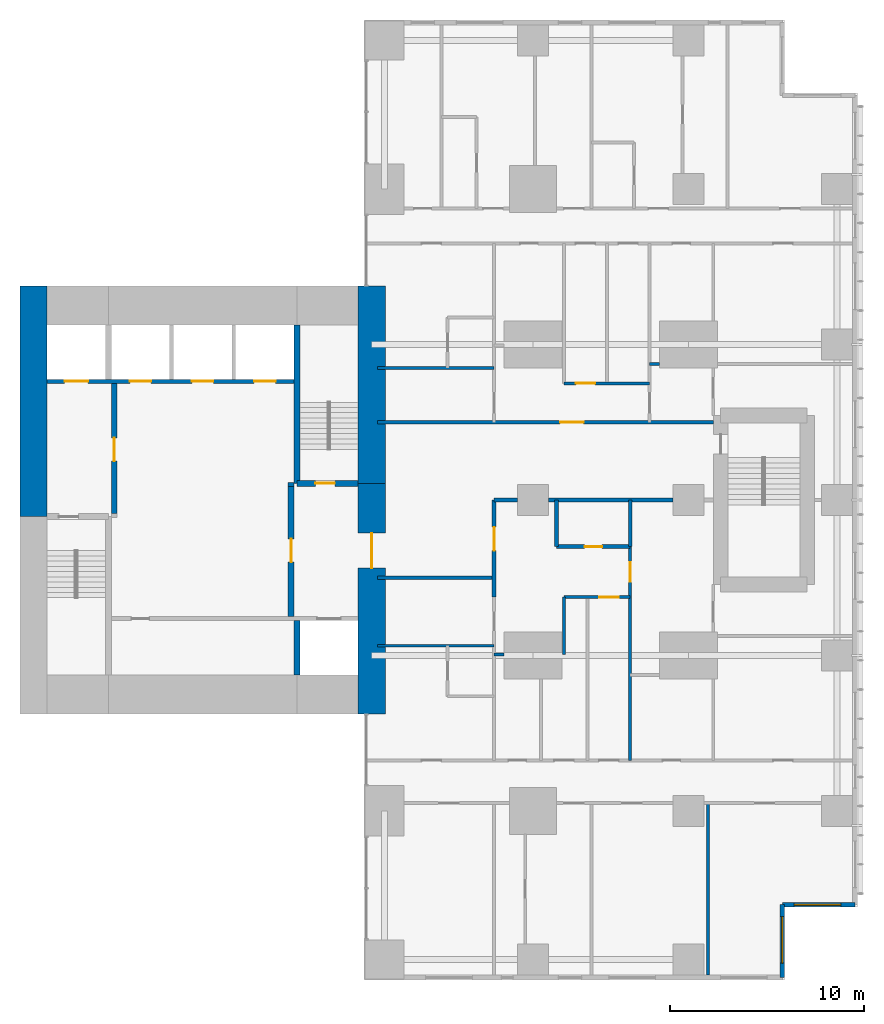
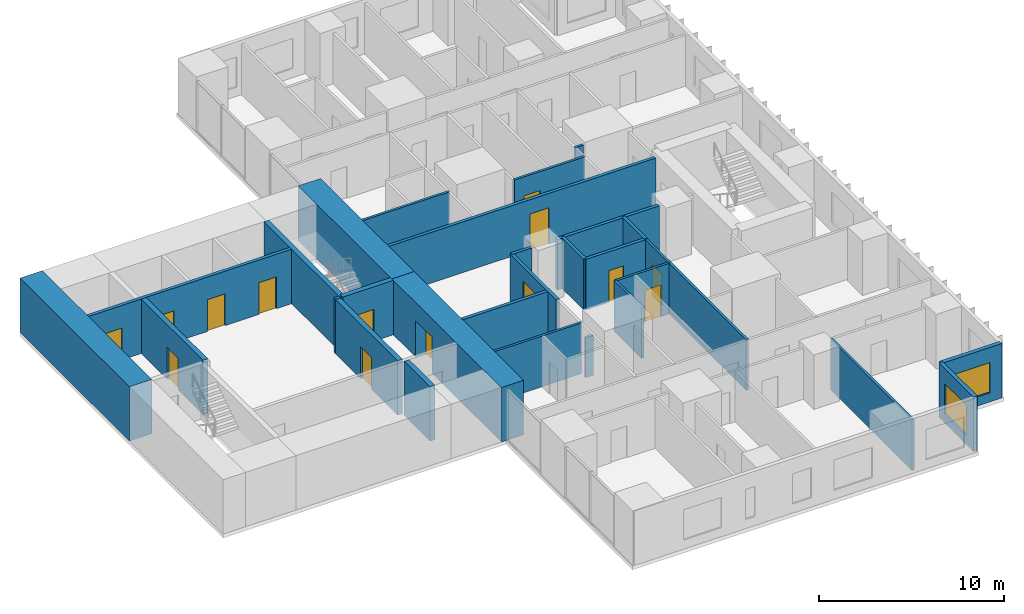
# One storey, part 8 of 12: 29 walls, 14 doors, 2 windows, 16 openings.
"""IFC4 building model written with IfcOpenShell, lengths in metres."""

from ifc_helpers import new_model, si_unit, direction, frame, frame_2d, origin, place, context, subcontext, project, spatial, rectangle, extrude, material, layer, layer_set, type_object, element, fill, save


model = new_model("IFC4")

# Units and contexts
model_context = context("Model", 3, precision=1e-05, world=origin(), true_north=direction((0.0, 1.0)))
body_context = subcontext(model_context, "Body", "Model", "MODEL_VIEW")
ifc_project = project(units=[si_unit("LENGTHUNIT", "METRE"), si_unit("AREAUNIT", "SQUARE_METRE"), si_unit("VOLUMEUNIT", "CUBIC_METRE"), si_unit("PLANEANGLEUNIT", "RADIAN"), si_unit("MASSUNIT", "GRAM", prefix="KILO")], contexts=[model_context])

# Site, building, storey
site_placement = place(None, origin())
site = spatial("IfcSite", under=ifc_project, at=site_placement, CompositionType="ELEMENT")
building_placement = place(site_placement, origin())
building = spatial("IfcBuilding", under=site, at=building_placement, Name="Cleftline Residences", CompositionType="ELEMENT")
storey_placement = place(building_placement, frame((0.0, 0.0, 244.800048828125)))
storey = spatial("IfcBuildingStorey", under=building, at=storey_placement, Name="L64", CompositionType="ELEMENT", Elevation=244.800048828125)

# Wall
ifc_material_1 = material(Name="Concrete B70", Category="concrete")
ifc_layer_1 = layer(ifc_material_1, 1.39990234375)
ifc_layer_set_1 = layer_set([ifc_layer_1], Name="CORE WALL 1400")
wall_type_1 = type_object("IfcWallType", Name="CORE WALL 1400", PredefinedType="SHEAR", material=ifc_layer_set_1)
wall_1_placement = place(storey_placement, frame((24.300048828125, 23.14990234375, 0.0), z_axis=(0.0, 0.0, 1.0), x_axis=(0.0, 1.0, 0.0)))
element("IfcWall", 1, at=wall_1_placement, inside=storey, type_object=wall_type_1, Name="Core wall W", PredefinedType="SHEAR", context=body_context, shape_type="SweptSolid", body=[
    extrude(rectangle(XDim=11.85009765625, YDim=1.39990234375, at=frame_2d((5.925048828125, 0.0))), origin(), (0.0, 0.0, 1.0), 3.599853515625),
])

# Wall, opening, door
wall_2_placement = place(storey_placement, frame((41.699951171875, 13.0, 0.0), z_axis=(0.0, 0.0, 1.0), x_axis=(0.0, 1.0, 0.0)))
wall_2 = element("IfcWall", 2, at=wall_2_placement, inside=storey, type_object=wall_type_1, Name="Core wall E", PredefinedType="SHEAR", context=body_context, shape_type="SweptSolid", body=[
    extrude(rectangle(XDim=11.85009765625, YDim=1.39990234375, at=frame_2d((5.925048828125, 0.0))), origin(), (0.0, 0.0, 1.0), 3.599853515625),
])
opening_1_placement = place(wall_2_placement, frame((7.5, 0.0, 0.0)))
opening_1 = element("IfcOpeningElement", 3, at=opening_1_placement, cuts=wall_2, Name="Opening D7", PredefinedType="OPENING", context=body_context, shape_type="SweptSolid", body=[
    extrude(rectangle(XDim=1.800048828125, YDim=2.39990234375, at=frame_2d((0.89990234375, 1.199951171875))), frame((0.0, 0.7099609375, 0.0), z_axis=(0.0, -1.0, 0.0), x_axis=(1.0, 0.0, 0.0)), (0.0, 0.0, 1.0), 1.419921875),
])
ifc_material_2 = material(Name="Steel", Category="steel")
door_type_1 = type_object("IfcDoorType", Name="WING DOOR 1800X2400", OperationType="DOUBLE_DOOR_DOUBLE_SWING", PredefinedType="DOOR", material=ifc_material_2)
door_1_placement = place(opening_1_placement, origin())
door_1 = element("IfcDoor", 4, at=door_1_placement, inside=storey, type_object=door_type_1, Name="East wing door", OperationType="DOUBLE_DOOR_DOUBLE_SWING", OverallHeight=2.39990234375, OverallWidth=1.800048828125, PredefinedType="DOOR", context=body_context, shape_type="SweptSolid", body=[
    extrude(rectangle(XDim=1.800048828125, YDim=2.39990234375, at=frame_2d((0.89990234375, 1.199951171875))), frame((0.0, 0.02490234375, 0.0), z_axis=(0.0, -1.0, 0.0), x_axis=(1.0, 0.0, 0.0)), (0.0, 0.0, 1.0), 0.050048828125),
])
fill(opening_1, door_1)

# Walls
wall_3_placement = place(storey_placement, frame((41.699951171875, 24.85009765625, 0.0), z_axis=(0.0, 0.0, 1.0), x_axis=(0.0, 1.0, 0.0)))
element("IfcWall", 5, at=wall_3_placement, inside=storey, type_object=wall_type_1, Name="Core wall E1", PredefinedType="SHEAR", context=body_context, shape_type="SweptSolid", body=[
    extrude(rectangle(XDim=10.14990234375, YDim=1.39990234375, at=frame_2d((5.074951171875, 0.0))), origin(), (0.0, 0.0, 1.0), 3.599853515625),
])
ifc_material_3 = material(Name="Concrete B70", Category="concrete")
ifc_layer_2 = layer(ifc_material_3, 0.300048828125)
ifc_layer_set_2 = layer_set([ifc_layer_2], Name="CORE WALL 300")
wall_type_2 = type_object("IfcWallType", Name="CORE WALL 300", PredefinedType="SHEAR", material=ifc_layer_set_2)
wall_4_placement = place(storey_placement, frame((37.85009765625, 24.85009765625, 0.0), z_axis=(0.0, 0.0, 1.0), x_axis=(0.0, 1.0, 0.0)))
element("IfcWall", 6, at=wall_4_placement, inside=storey, type_object=wall_type_2, Name="Core wall SB-W", PredefinedType="SHEAR", context=body_context, shape_type="SweptSolid", body=[
    extrude(rectangle(XDim=8.14990234375, YDim=0.300048828125, at=frame_2d((4.074951171875, 0.0))), origin(), (0.0, 0.0, 1.0), 3.599853515625),
])

# Wall, opening, door
wall_5_placement = place(storey_placement, frame((37.85009765625, 24.85009765625, 0.0), z_axis=(0.0, 0.0, 1.0), x_axis=(1.0, 0.0, 0.0)))
wall_5 = element("IfcWall", 7, at=wall_5_placement, inside=storey, type_object=wall_type_2, Name="Core wall SB-S", PredefinedType="SHEAR", context=body_context, shape_type="SweptSolid", body=[
    extrude(rectangle(XDim=3.14990234375, YDim=0.300048828125, at=frame_2d((1.574951171875, 0.0))), origin(), (0.0, 0.0, 1.0), 3.599853515625),
])
opening_2_placement = place(wall_5_placement, frame((0.949951171875, 0.0, 0.0)))
opening_2 = element("IfcOpeningElement", 8, at=opening_2_placement, cuts=wall_5, Name="Opening D5", PredefinedType="OPENING", context=body_context, shape_type="SweptSolid", body=[
    extrude(rectangle(XDim=1.0, YDim=2.10009765625, at=frame_2d((0.5, 1.050048828125))), frame((0.0, 0.159912109375, 0.0), z_axis=(0.0, -1.0, 0.0), x_axis=(1.0, 0.0, 0.0)), (0.0, 0.0, 1.0), 0.320068359375),
])
ifc_material_4 = material(Name="Steel", Category="steel")
door_type_2 = type_object("IfcDoorType", Name="STAIR DOOR 1000X2100", OperationType="SINGLE_SWING_LEFT", PredefinedType="DOOR", material=ifc_material_4)
door_2_placement = place(opening_2_placement, origin())
door_2 = element("IfcDoor", 9, at=door_2_placement, inside=storey, type_object=door_type_2, Name="Stair B door", OperationType="SINGLE_SWING_RIGHT", OverallHeight=2.10009765625, OverallWidth=1.0, PredefinedType="DOOR", context=body_context, shape_type="SweptSolid", body=[
    extrude(rectangle(XDim=1.0, YDim=2.10009765625, at=frame_2d((0.5, 1.050048828125))), frame((0.0, 0.02490234375, 0.0), z_axis=(0.0, -1.0, 0.0), x_axis=(1.0, 0.0, 0.0)), (0.0, 0.0, 1.0), 0.050048828125),
])
fill(opening_2, door_2)

# Wall
wall_6_placement = place(storey_placement, frame((37.85009765625, 15.0, 0.0), z_axis=(0.0, 0.0, 1.0), x_axis=(0.0, 1.0, 0.0)))
element("IfcWall", 10, at=wall_6_placement, inside=storey, type_object=wall_type_2, Name="Lift shaft wall", PredefinedType="SHEAR", context=body_context, shape_type="SweptSolid", body=[
    extrude(rectangle(XDim=2.800048828125, YDim=0.300048828125, at=frame_2d((1.39990234375, 0.0))), origin(), (0.0, 0.0, 1.0), 3.599853515625),
])

# Wall, opening, window
ifc_material_5 = material(Name="Rendered reinforced concrete blockwork", Category="masonry")
ifc_layer_3 = layer(ifc_material_5, 0.25)
ifc_layer_set_3 = layer_set([ifc_layer_3], Name="EXTERNAL WALL 250")
wall_type_3 = type_object("IfcWallType", Name="EXTERNAL WALL 250", PredefinedType="SOLIDWALL", material=ifc_layer_set_3)
wall_7_placement = place(storey_placement, frame((62.824951171875, -0.574951171875, 0.0), z_axis=(0.0, 0.0, 1.0), x_axis=(0.0, 1.0, 0.0)))
wall_7 = element("IfcWall", 11, at=wall_7_placement, inside=storey, type_object=wall_type_3, Name="External wall", PredefinedType="SOLIDWALL", context=body_context, shape_type="SweptSolid", body=[
    extrude(rectangle(XDim=3.75, YDim=0.25, at=frame_2d((1.875, 0.0))), origin(), (0.0, 0.0, 1.0), 3.599853515625),
])
opening_3_placement = place(wall_7_placement, frame((0.737548828125, 0.0, 0.60009765625)))
opening_3 = element("IfcOpeningElement", 12, at=opening_3_placement, cuts=wall_7, Name="Opening W6", PredefinedType="OPENING", context=body_context, shape_type="SweptSolid", body=[
    extrude(rectangle(XDim=2.39990234375, YDim=2.0, at=frame_2d((1.199951171875, 1.0))), frame((0.0, 0.135009765625, 0.0), z_axis=(0.0, -1.0, 0.0), x_axis=(1.0, 0.0, 0.0)), (0.0, 0.0, 1.0), 0.27001953125),
])
ifc_material_6 = material(Name="Aluminium frame, clear double glazing", Category="aluminium")
window_type = type_object("IfcWindowType", Name="WINDOW 2400X2000", PartitioningType="DOUBLE_PANEL_VERTICAL", PredefinedType="WINDOW", material=ifc_material_6)
window_1_placement = place(opening_3_placement, origin())
window_1 = element("IfcWindow", 13, at=window_1_placement, inside=storey, type_object=window_type, Name="Window", OverallHeight=2.0, OverallWidth=2.39990234375, PartitioningType="SINGLE_PANEL", PredefinedType="WINDOW", context=body_context, shape_type="SweptSolid", body=[
    extrude(rectangle(XDim=2.39990234375, YDim=2.0, at=frame_2d((1.199951171875, 1.0))), frame((0.0, 0.030029296875, 0.0), z_axis=(0.0, -1.0, 0.0), x_axis=(1.0, 0.0, 0.0)), (0.0, 0.0, 1.0), 0.06005859375),
])
fill(opening_3, window_1)

wall_8_placement = place(storey_placement, frame((62.824951171875, 3.175048828125, 0.0), z_axis=(0.0, 0.0, 1.0), x_axis=(1.0, 0.0, 0.0)))
wall_8 = element("IfcWall", 14, at=wall_8_placement, inside=storey, type_object=wall_type_3, Name="External wall", PredefinedType="SOLIDWALL", context=body_context, shape_type="SweptSolid", body=[
    extrude(rectangle(XDim=3.75, YDim=0.25, at=frame_2d((1.875, 0.0))), origin(), (0.0, 0.0, 1.0), 3.599853515625),
])
opening_4_placement = place(wall_8_placement, frame((0.612548828125, 0.0, 0.60009765625)))
opening_4 = element("IfcOpeningElement", 15, at=opening_4_placement, cuts=wall_8, Name="Opening W6", PredefinedType="OPENING", context=body_context, shape_type="SweptSolid", body=[
    extrude(rectangle(XDim=2.39990234375, YDim=2.0, at=frame_2d((1.199951171875, 1.0))), frame((0.0, 0.135009765625, 0.0), z_axis=(0.0, -1.0, 0.0), x_axis=(1.0, 0.0, 0.0)), (0.0, 0.0, 1.0), 0.27001953125),
])
window_2_placement = place(opening_4_placement, origin())
window_2 = element("IfcWindow", 16, at=window_2_placement, inside=storey, type_object=window_type, Name="Window", OverallHeight=2.0, OverallWidth=2.39990234375, PartitioningType="SINGLE_PANEL", PredefinedType="WINDOW", context=body_context, shape_type="SweptSolid", body=[
    extrude(rectangle(XDim=2.39990234375, YDim=2.0, at=frame_2d((1.199951171875, 1.0))), frame((0.0, 0.030029296875, 0.0), z_axis=(0.0, -1.0, 0.0), x_axis=(1.0, 0.0, 0.0)), (0.0, 0.0, 1.0), 0.06005859375),
])
fill(opening_4, window_2)

# Wall
ifc_material_7 = material(Name="Concrete blockwork, fire rated", Category="masonry")
ifc_layer_4 = layer(ifc_material_7, 0.199951171875)
ifc_layer_set_4 = layer_set([ifc_layer_4], Name="FIRE WALL 200")
wall_type_4 = type_object("IfcWallType", Name="FIRE WALL 200", PredefinedType="PARTITIONING", material=ifc_layer_set_4)
wall_9_placement = place(storey_placement, frame((42.0, 20.0, 0.0), z_axis=(0.0, 0.0, 1.0), x_axis=(1.0, 0.0, 0.0)))
element("IfcWall", 17, at=wall_9_placement, inside=storey, type_object=wall_type_4, Name="Fire separating wall", PredefinedType="PARTITIONING", context=body_context, shape_type="SweptSolid", body=[
    extrude(rectangle(XDim=6.0, YDim=0.199951171875, at=frame_2d((3.0, 0.0))), origin(), (0.0, 0.0, 1.0), 3.349853515625),
])

# Wall, opening, door
wall_10_placement = place(storey_placement, frame((51.199951171875, 21.60009765625, 0.0), z_axis=(0.0, 0.0, 1.0), x_axis=(1.0, 0.0, 0.0)))
wall_10 = element("IfcWall", 18, at=wall_10_placement, inside=storey, type_object=wall_type_4, Name="Fire separating wall", PredefinedType="PARTITIONING", context=body_context, shape_type="SweptSolid", body=[
    extrude(rectangle(XDim=3.800048828125, YDim=0.199951171875, at=frame_2d((1.89990234375, 0.0))), origin(), (0.0, 0.0, 1.0), 3.349853515625),
])
opening_5_placement = place(wall_10_placement, frame((1.449951171875, 0.0, 0.0)))
opening_5 = element("IfcOpeningElement", 19, at=opening_5_placement, cuts=wall_10, Name="Opening D1F30", PredefinedType="OPENING", context=body_context, shape_type="SweptSolid", body=[
    extrude(rectangle(XDim=0.89990234375, YDim=2.10009765625, at=frame_2d((0.449951171875, 1.050048828125))), frame((0.0, 0.10986328125, 0.0), z_axis=(0.0, -1.0, 0.0), x_axis=(1.0, 0.0, 0.0)), (0.0, 0.0, 1.0), 0.219970703125),
])
ifc_material_8 = material(Name="Timber veneer on solid core", Category="wood")
door_type_3 = type_object("IfcDoorType", Name="DOOR 900X2100 EI 30", OperationType="SINGLE_SWING_LEFT", PredefinedType="DOOR", material=ifc_material_8)
door_3_placement = place(opening_5_placement, origin())
door_3 = element("IfcDoor", 20, at=door_3_placement, inside=storey, type_object=door_type_3, Name="Door to cloakroom wc", OperationType="SINGLE_SWING_LEFT", OverallHeight=2.10009765625, OverallWidth=0.89990234375, PredefinedType="DOOR", context=body_context, shape_type="SweptSolid", body=[
    extrude(rectangle(XDim=0.89990234375, YDim=2.10009765625, at=frame_2d((0.449951171875, 1.050048828125))), frame((0.0, 0.02490234375, 0.0), z_axis=(0.0, -1.0, 0.0), x_axis=(1.0, 0.0, 0.0)), (0.0, 0.0, 1.0), 0.050048828125),
])
fill(opening_5, door_3)

# Walls
wall_11_placement = place(storey_placement, frame((48.0, 24.0, 0.0), z_axis=(0.0, 0.0, 1.0), x_axis=(1.0, 0.0, 0.0)))
element("IfcWall", 21, at=wall_11_placement, inside=storey, type_object=wall_type_4, Name="Fire separating wall", PredefinedType="PARTITIONING", context=body_context, shape_type="SweptSolid", body=[
    extrude(rectangle(XDim=1.199951171875, YDim=0.199951171875, at=frame_2d((0.60009765625, 0.0))), origin(), (0.0, 0.0, 1.0), 3.349853515625),
])
wall_12_placement = place(storey_placement, frame((50.800048828125, 24.0, 0.0), z_axis=(0.0, 0.0, 1.0), x_axis=(1.0, 0.0, 0.0)))
element("IfcWall", 22, at=wall_12_placement, inside=storey, type_object=wall_type_4, Name="Fire separating wall", PredefinedType="PARTITIONING", context=body_context, shape_type="SweptSolid", body=[
    extrude(rectangle(XDim=6.39990234375, YDim=0.199951171875, at=frame_2d((3.199951171875, 0.0))), origin(), (0.0, 0.0, 1.0), 3.349853515625),
])

# Wall, opening, door
wall_13_placement = place(storey_placement, frame((42.0, 28.0, 0.0), z_axis=(0.0, 0.0, 1.0), x_axis=(1.0, 0.0, 0.0)))
wall_13 = element("IfcWall", 23, at=wall_13_placement, inside=storey, type_object=wall_type_4, Name="Fire separating wall", PredefinedType="PARTITIONING", context=body_context, shape_type="SweptSolid", body=[
    extrude(rectangle(XDim=17.27490234375, YDim=0.199951171875, at=frame_2d((8.637451171875, 0.0))), origin(), (0.0, 0.0, 1.0), 3.349853515625),
])
opening_6_placement = place(wall_13_placement, frame((9.39990234375, 0.0, 0.0)))
opening_6 = element("IfcOpeningElement", 24, at=opening_6_placement, cuts=wall_13, Name="Opening D4", PredefinedType="OPENING", context=body_context, shape_type="SweptSolid", body=[
    extrude(rectangle(XDim=1.199951171875, YDim=2.39990234375, at=frame_2d((0.60009765625, 1.199951171875))), frame((0.0, 0.10986328125, 0.0), z_axis=(0.0, -1.0, 0.0), x_axis=(1.0, 0.0, 0.0)), (0.0, 0.0, 1.0), 0.219970703125),
])
ifc_material_9 = material(Name="Timber veneer on solid core", Category="wood")
door_type_4 = type_object("IfcDoorType", Name="APARTMENT ENTRANCE DOOR 1200X2400", OperationType="SINGLE_SWING_RIGHT", PredefinedType="DOOR", material=ifc_material_9)
door_4_placement = place(opening_6_placement, origin())
door_4 = element("IfcDoor", 25, at=door_4_placement, inside=storey, type_object=door_type_4, Name="Door to residence entrance (gallery)", OperationType="SINGLE_SWING_LEFT", OverallHeight=2.39990234375, OverallWidth=1.199951171875, PredefinedType="DOOR", context=body_context, shape_type="SweptSolid", body=[
    extrude(rectangle(XDim=1.199951171875, YDim=2.39990234375, at=frame_2d((0.60009765625, 1.199951171875))), frame((0.0, 0.02490234375, 0.0), z_axis=(0.0, -1.0, 0.0), x_axis=(1.0, 0.0, 0.0)), (0.0, 0.0, 1.0), 0.050048828125),
])
fill(opening_6, door_4)

wall_14_placement = place(storey_placement, frame((48.0, 19.0, 0.0), z_axis=(0.0, 0.0, 1.0), x_axis=(0.0, 1.0, 0.0)))
wall_14 = element("IfcWall", 26, at=wall_14_placement, inside=storey, type_object=wall_type_4, Name="Fire separating wall", PredefinedType="PARTITIONING", context=body_context, shape_type="SweptSolid", body=[
    extrude(rectangle(XDim=5.0, YDim=0.199951171875, at=frame_2d((2.5, 0.0))), origin(), (0.0, 0.0, 1.0), 3.349853515625),
])
opening_7_placement = place(wall_14_placement, frame((2.39990234375, 0.0, 0.0)))
opening_7 = element("IfcOpeningElement", 27, at=opening_7_placement, cuts=wall_14, Name="Opening D4", PredefinedType="OPENING", context=body_context, shape_type="SweptSolid", body=[
    extrude(rectangle(XDim=1.199951171875, YDim=2.39990234375, at=frame_2d((0.60009765625, 1.199951171875))), frame((0.0, 0.10986328125, 0.0), z_axis=(0.0, -1.0, 0.0), x_axis=(1.0, 0.0, 0.0)), (0.0, 0.0, 1.0), 0.219970703125),
])
door_5_placement = place(opening_7_placement, origin())
door_5 = element("IfcDoor", 28, at=door_5_placement, inside=storey, type_object=door_type_4, Name="Door to residence entrance foyer", OperationType="SINGLE_SWING_LEFT", OverallHeight=2.39990234375, OverallWidth=1.199951171875, PredefinedType="DOOR", context=body_context, shape_type="SweptSolid", body=[
    extrude(rectangle(XDim=1.199951171875, YDim=2.39990234375, at=frame_2d((0.60009765625, 1.199951171875))), frame((0.0, 0.02490234375, 0.0), z_axis=(0.0, -1.0, 0.0), x_axis=(1.0, 0.0, 0.0)), (0.0, 0.0, 1.0), 0.050048828125),
])
fill(opening_7, door_5)

# Walls
for number, where, z_axis, x_axis, name in (
    (29, (51.199951171875, 21.60009765625, 0.0), (0.0, 0.0, 1.0), (0.0, 1.0, 0.0), "Fire separating wall"),
    (30, (55.0, 21.60009765625, 0.0), (0.0, 0.0, 1.0), (0.0, 1.0, 0.0), "Fire separating wall"),
):
    element("IfcWall", number, at=place(storey_placement, frame(where, z_axis=z_axis, x_axis=x_axis)), inside=storey, type_object=wall_type_4, Name=name, PredefinedType="PARTITIONING", context=body_context, shape_type="SweptSolid", body=[
        extrude(rectangle(XDim=2.39990234375, YDim=0.199951171875, at=frame_2d((1.199951171875, 0.0))), origin(), (0.0, 0.0, 1.0), 3.349853515625),
    ])
wall_15_placement = place(storey_placement, frame((37.39990234375, 24.800048828125, 0.0), z_axis=(0.0, 0.0, 1.0), x_axis=(1.0, 0.0, 0.0)))
element("IfcWall", 31, at=wall_15_placement, inside=storey, type_object=wall_type_4, Name="Fire separating wall", PredefinedType="PARTITIONING", context=body_context, shape_type="SweptSolid", body=[
    extrude(rectangle(XDim=0.300048828125, YDim=0.199951171875, at=frame_2d((0.14990234375, 0.0))), origin(), (0.0, 0.0, 1.0), 3.599853515625),
])
ifc_material_10 = material(Name="Gypsum board on steel studs", Category="steel")
ifc_layer_5 = layer(ifc_material_10, 0.14990234375)
ifc_layer_set_5 = layer_set([ifc_layer_5], Name="PARTITION 150")
wall_type_5 = type_object("IfcWallType", Name="PARTITION 150", PredefinedType="PARTITIONING", material=ifc_layer_set_5)
wall_16_placement = place(storey_placement, frame((48.0, 16.050048828125, 0.0), z_axis=(0.0, 0.0, 1.0), x_axis=(1.0, 0.0, 0.0)))
element("IfcWall", 32, at=wall_16_placement, inside=storey, type_object=wall_type_5, Name="Partition", PredefinedType="PARTITIONING", context=body_context, shape_type="SweptSolid", body=[
    extrude(rectangle(XDim=0.5, YDim=0.14990234375, at=frame_2d((0.25, 0.0))), origin(), (0.0, 0.0, 1.0), 2.634033203125),
])
wall_17_placement = place(storey_placement, frame((42.0, 16.5, 0.0), z_axis=(0.0, 0.0, 1.0), x_axis=(1.0, 0.0, 0.0)))
element("IfcWall", 33, at=wall_17_placement, inside=storey, type_object=wall_type_5, Name="Partition", PredefinedType="PARTITIONING", context=body_context, shape_type="SweptSolid", body=[
    extrude(rectangle(XDim=6.0, YDim=0.14990234375, at=frame_2d((3.0, 0.0))), origin(), (0.0, 0.0, 1.0), 3.349853515625),
])

# Wall, opening, door
wall_18_placement = place(storey_placement, frame((51.60009765625, 19.0, 0.0), z_axis=(0.0, 0.0, 1.0), x_axis=(1.0, 0.0, 0.0)))
wall_18 = element("IfcWall", 34, at=wall_18_placement, inside=storey, type_object=wall_type_5, Name="Partition", PredefinedType="PARTITIONING", context=body_context, shape_type="SweptSolid", body=[
    extrude(rectangle(XDim=3.39990234375, YDim=0.14990234375, at=frame_2d((1.699951171875, 0.0))), origin(), (0.0, 0.0, 1.0), 3.349853515625),
])
opening_8_placement = place(wall_18_placement, frame((1.800048828125, 0.0, 0.0)))
opening_8 = element("IfcOpeningElement", 35, at=opening_8_placement, cuts=wall_18, Name="Opening D2", PredefinedType="OPENING", context=body_context, shape_type="SweptSolid", body=[
    extrude(rectangle(XDim=1.0, YDim=2.10009765625, at=frame_2d((0.5, 1.050048828125))), frame((0.0, 0.0849609375, 0.0), z_axis=(0.0, -1.0, 0.0), x_axis=(1.0, 0.0, 0.0)), (0.0, 0.0, 1.0), 0.169921875),
])
ifc_material_11 = material(Name="Timber veneer on solid core", Category="wood")
door_type_5 = type_object("IfcDoorType", Name="DOOR 1000X2100", OperationType="SINGLE_SWING_LEFT", PredefinedType="DOOR", material=ifc_material_11)
door_6_placement = place(opening_8_placement, origin())
door_6 = element("IfcDoor", 36, at=door_6_placement, inside=storey, type_object=door_type_5, Name="Door to residence passage", OperationType="SINGLE_SWING_LEFT", OverallHeight=2.10009765625, OverallWidth=1.0, PredefinedType="DOOR", context=body_context, shape_type="SweptSolid", body=[
    extrude(rectangle(XDim=1.0, YDim=2.10009765625, at=frame_2d((0.5, 1.050048828125))), frame((0.0, 0.02490234375, 0.0), z_axis=(0.0, -1.0, 0.0), x_axis=(1.0, 0.0, 0.0)), (0.0, 0.0, 1.0), 0.050048828125),
])
fill(opening_8, door_6)

wall_19_placement = place(storey_placement, frame((51.60009765625, 30.0, 0.0), z_axis=(0.0, 0.0, 1.0), x_axis=(1.0, 0.0, 0.0)))
wall_19 = element("IfcWall", 37, at=wall_19_placement, inside=storey, type_object=wall_type_5, Name="Partition", PredefinedType="PARTITIONING", context=body_context, shape_type="SweptSolid", body=[
    extrude(rectangle(XDim=4.39990234375, YDim=0.14990234375, at=frame_2d((2.199951171875, 0.0))), origin(), (0.0, 0.0, 1.0), 3.349853515625),
])
opening_9_placement = place(wall_19_placement, frame((0.60009765625, 0.0, 0.0)))
opening_9 = element("IfcOpeningElement", 38, at=opening_9_placement, cuts=wall_19, Name="Opening D2", PredefinedType="OPENING", context=body_context, shape_type="SweptSolid", body=[
    extrude(rectangle(XDim=1.0, YDim=2.10009765625, at=frame_2d((0.5, 1.050048828125))), frame((0.0, 0.0849609375, 0.0), z_axis=(0.0, -1.0, 0.0), x_axis=(1.0, 0.0, 0.0)), (0.0, 0.0, 1.0), 0.169921875),
])
door_7_placement = place(opening_9_placement, origin())
door_7 = element("IfcDoor", 39, at=door_7_placement, inside=storey, type_object=door_type_5, Name="Door to residence passage", OperationType="SINGLE_SWING_RIGHT", OverallHeight=2.10009765625, OverallWidth=1.0, PredefinedType="DOOR", context=body_context, shape_type="SweptSolid", body=[
    extrude(rectangle(XDim=1.0, YDim=2.10009765625, at=frame_2d((0.5, 1.050048828125))), frame((0.0, 0.02490234375, 0.0), z_axis=(0.0, -1.0, 0.0), x_axis=(1.0, 0.0, 0.0)), (0.0, 0.0, 1.0), 0.050048828125),
])
fill(opening_9, door_7)

# Walls
wall_20_placement = place(storey_placement, frame((42.0, 30.800048828125, 0.0), z_axis=(0.0, 0.0, 1.0), x_axis=(1.0, 0.0, 0.0)))
element("IfcWall", 40, at=wall_20_placement, inside=storey, type_object=wall_type_5, Name="Partition", PredefinedType="PARTITIONING", context=body_context, shape_type="SweptSolid", body=[
    extrude(rectangle(XDim=6.0, YDim=0.14990234375, at=frame_2d((3.0, 0.0))), origin(), (0.0, 0.0, 1.0), 3.349853515625),
])
wall_21_placement = place(storey_placement, frame((56.0, 31.0, 0.0), z_axis=(0.0, 0.0, 1.0), x_axis=(1.0, 0.0, 0.0)))
element("IfcWall", 41, at=wall_21_placement, inside=storey, type_object=wall_type_5, Name="Partition", PredefinedType="PARTITIONING", context=body_context, shape_type="SweptSolid", body=[
    extrude(rectangle(XDim=0.5, YDim=0.14990234375, at=frame_2d((0.25, 0.0))), origin(), (0.0, 0.0, 1.0), 3.349853515625),
])
wall_22_placement = place(storey_placement, frame((51.60009765625, 16.050048828125, 0.0), z_axis=(0.0, 0.0, 1.0), x_axis=(0.0, 1.0, 0.0)))
element("IfcWall", 42, at=wall_22_placement, inside=storey, type_object=wall_type_5, Name="Partition", PredefinedType="PARTITIONING", context=body_context, shape_type="SweptSolid", body=[
    extrude(rectangle(XDim=2.949951171875, YDim=0.14990234375, at=frame_2d((1.47509765625, 0.0))), origin(), (0.0, 0.0, 1.0), 3.349853515625),
])

# Wall, opening, door
wall_23_placement = place(storey_placement, frame((55.0, 10.60009765625, 0.0), z_axis=(0.0, 0.0, 1.0), x_axis=(0.0, 1.0, 0.0)))
wall_23 = element("IfcWall", 43, at=wall_23_placement, inside=storey, type_object=wall_type_5, Name="Partition", PredefinedType="PARTITIONING", context=body_context, shape_type="SweptSolid", body=[
    extrude(rectangle(XDim=11.0, YDim=0.14990234375, at=frame_2d((5.5, 0.0))), origin(), (0.0, 0.0, 1.0), 3.349853515625),
])
opening_10_placement = place(wall_23_placement, frame((9.199951171875, 0.0, 0.0)))
opening_10 = element("IfcOpeningElement", 44, at=opening_10_placement, cuts=wall_23, Name="Opening D2F30", PredefinedType="OPENING", context=body_context, shape_type="SweptSolid", body=[
    extrude(rectangle(XDim=1.0, YDim=2.10009765625, at=frame_2d((0.5, 1.050048828125))), frame((0.0, 0.0849609375, 0.0), z_axis=(0.0, -1.0, 0.0), x_axis=(1.0, 0.0, 0.0)), (0.0, 0.0, 1.0), 0.169921875),
])
ifc_material_12 = material(Name="Timber veneer on solid core", Category="wood")
door_type_6 = type_object("IfcDoorType", Name="DOOR 1000X2100 EI 30", OperationType="SINGLE_SWING_LEFT", PredefinedType="DOOR", material=ifc_material_12)
door_8_placement = place(opening_10_placement, origin())
door_8 = element("IfcDoor", 45, at=door_8_placement, inside=storey, type_object=door_type_6, Name="Door to residence lobby", OperationType="SINGLE_SWING_LEFT", OverallHeight=2.10009765625, OverallWidth=1.0, PredefinedType="DOOR", context=body_context, shape_type="SweptSolid", body=[
    extrude(rectangle(XDim=1.0, YDim=2.10009765625, at=frame_2d((0.5, 1.050048828125))), frame((0.0, 0.02490234375, 0.0), z_axis=(0.0, -1.0, 0.0), x_axis=(1.0, 0.0, 0.0)), (0.0, 0.0, 1.0), 0.050048828125),
])
fill(opening_10, door_8)

# Wall
wall_24_placement = place(storey_placement, frame((59.0, -0.449951171875, 0.0), z_axis=(0.0, 0.0, 1.0), x_axis=(0.0, 1.0, 0.0)))
element("IfcWall", 46, at=wall_24_placement, inside=storey, type_object=wall_type_5, Name="Partition", PredefinedType="PARTITIONING", context=body_context, shape_type="SweptSolid", body=[
    extrude(rectangle(XDim=8.849853515625, YDim=0.14990234375, at=frame_2d((4.4248046875, 0.0))), origin(), (0.0, 0.0, 1.0), 3.349853515625),
])

# Wall, openings, doors
ifc_material_13 = material(Name="Concrete blockwork, fire rated", Category="masonry")
ifc_layer_6 = layer(ifc_material_13, 0.199951171875)
ifc_layer_set_6 = layer_set([ifc_layer_6], Name="SHAFT WALL 200")
wall_type_6 = type_object("IfcWallType", Name="SHAFT WALL 200", PredefinedType="PARTITIONING", material=ifc_layer_set_6)
wall_25_placement = place(storey_placement, frame((25.0, 30.10009765625, 0.0), z_axis=(0.0, 0.0, 1.0), x_axis=(1.0, 0.0, 0.0)))
wall_25 = element("IfcWall", 47, at=wall_25_placement, inside=storey, type_object=wall_type_6, Name="Lift shaft wall", PredefinedType="PARTITIONING", context=body_context, shape_type="SweptSolid", body=[
    extrude(rectangle(XDim=12.699951171875, YDim=0.199951171875, at=frame_2d((6.35009765625, 0.0))), origin(), (0.0, 0.0, 1.0), 3.599853515625),
])
opening_11_placement = place(wall_25_placement, frame((4.25, 0.0, 0.0)))
opening_11 = element("IfcOpeningElement", 48, at=opening_11_placement, cuts=wall_25, Name="Opening LD1", PredefinedType="OPENING", context=body_context, shape_type="SweptSolid", body=[
    extrude(rectangle(XDim=1.10009765625, YDim=2.10009765625, at=frame_2d((0.550048828125, 1.050048828125))), frame((0.0, 0.10986328125, 0.0), z_axis=(0.0, -1.0, 0.0), x_axis=(1.0, 0.0, 0.0)), (0.0, 0.0, 1.0), 0.219970703125),
])
opening_12_placement = place(wall_25_placement, frame((7.449951171875, 0.0, 0.0)))
opening_12 = element("IfcOpeningElement", 49, at=opening_12_placement, cuts=wall_25, Name="Opening LD1", PredefinedType="OPENING", context=body_context, shape_type="SweptSolid", body=[
    extrude(rectangle(XDim=1.10009765625, YDim=2.10009765625, at=frame_2d((0.550048828125, 1.050048828125))), frame((0.0, 0.10986328125, 0.0), z_axis=(0.0, -1.0, 0.0), x_axis=(1.0, 0.0, 0.0)), (0.0, 0.0, 1.0), 0.219970703125),
])
opening_13_placement = place(wall_25_placement, frame((10.64990234375, 0.0, 0.0)))
opening_13 = element("IfcOpeningElement", 50, at=opening_13_placement, cuts=wall_25, Name="Opening LD1", PredefinedType="OPENING", context=body_context, shape_type="SweptSolid", body=[
    extrude(rectangle(XDim=1.10009765625, YDim=2.10009765625, at=frame_2d((0.550048828125, 1.050048828125))), frame((0.0, 0.10986328125, 0.0), z_axis=(0.0, -1.0, 0.0), x_axis=(1.0, 0.0, 0.0)), (0.0, 0.0, 1.0), 0.219970703125),
])
opening_14_placement = place(wall_25_placement, frame((0.89990234375, 0.0, 0.0)))
opening_14 = element("IfcOpeningElement", 51, at=opening_14_placement, cuts=wall_25, Name="Opening LD2", PredefinedType="OPENING", context=body_context, shape_type="SweptSolid", body=[
    extrude(rectangle(XDim=1.199951171875, YDim=2.10009765625, at=frame_2d((0.60009765625, 1.050048828125))), frame((0.0, 0.10986328125, 0.0), z_axis=(0.0, -1.0, 0.0), x_axis=(1.0, 0.0, 0.0)), (0.0, 0.0, 1.0), 0.219970703125),
])
ifc_material_14 = material(Name="Steel", Category="steel")
door_type_7 = type_object("IfcDoorType", Name="FIREFIGHTING LIFT LANDING DOOR 1200X2100", OperationType="SLIDING_TO_LEFT", PredefinedType="DOOR", material=ifc_material_14)
door_9_placement = place(opening_14_placement, origin())
door_9 = element("IfcDoor", 52, at=door_9_placement, inside=storey, type_object=door_type_7, Name="Lift FL1 landing door", OperationType="SLIDING_TO_LEFT", OverallHeight=2.10009765625, OverallWidth=1.199951171875, PredefinedType="DOOR", context=body_context, shape_type="SweptSolid", body=[
    extrude(rectangle(XDim=1.199951171875, YDim=2.10009765625, at=frame_2d((0.60009765625, 1.050048828125))), frame((0.0, 0.02490234375, 0.0), z_axis=(0.0, -1.0, 0.0), x_axis=(1.0, 0.0, 0.0)), (0.0, 0.0, 1.0), 0.050048828125),
])
fill(opening_14, door_9)
ifc_material_15 = material(Name="Steel", Category="steel")
door_type_8 = type_object("IfcDoorType", Name="LIFT LANDING DOOR 1100X2100", OperationType="SLIDING_TO_LEFT", PredefinedType="DOOR", material=ifc_material_15)
door_10_placement = place(opening_11_placement, origin())
door_10 = element("IfcDoor", 53, at=door_10_placement, inside=storey, type_object=door_type_8, Name="Lift P4 landing door", OperationType="SLIDING_TO_LEFT", OverallHeight=2.10009765625, OverallWidth=1.10009765625, PredefinedType="DOOR", context=body_context, shape_type="SweptSolid", body=[
    extrude(rectangle(XDim=1.10009765625, YDim=2.10009765625, at=frame_2d((0.550048828125, 1.050048828125))), frame((0.0, 0.02490234375, 0.0), z_axis=(0.0, -1.0, 0.0), x_axis=(1.0, 0.0, 0.0)), (0.0, 0.0, 1.0), 0.050048828125),
])
fill(opening_11, door_10)
door_11_placement = place(opening_12_placement, origin())
door_11 = element("IfcDoor", 54, at=door_11_placement, inside=storey, type_object=door_type_8, Name="Lift P5 landing door", OperationType="SLIDING_TO_LEFT", OverallHeight=2.10009765625, OverallWidth=1.10009765625, PredefinedType="DOOR", context=body_context, shape_type="SweptSolid", body=[
    extrude(rectangle(XDim=1.10009765625, YDim=2.10009765625, at=frame_2d((0.550048828125, 1.050048828125))), frame((0.0, 0.02490234375, 0.0), z_axis=(0.0, -1.0, 0.0), x_axis=(1.0, 0.0, 0.0)), (0.0, 0.0, 1.0), 0.050048828125),
])
fill(opening_12, door_11)
door_12_placement = place(opening_13_placement, origin())
door_12 = element("IfcDoor", 55, at=door_12_placement, inside=storey, type_object=door_type_8, Name="Lift P6 landing door", OperationType="SLIDING_TO_LEFT", OverallHeight=2.10009765625, OverallWidth=1.10009765625, PredefinedType="DOOR", context=body_context, shape_type="SweptSolid", body=[
    extrude(rectangle(XDim=1.10009765625, YDim=2.10009765625, at=frame_2d((0.550048828125, 1.050048828125))), frame((0.0, 0.02490234375, 0.0), z_axis=(0.0, -1.0, 0.0), x_axis=(1.0, 0.0, 0.0)), (0.0, 0.0, 1.0), 0.050048828125),
])
fill(opening_13, door_12)

# Wall, opening, door
ifc_material_16 = material(Name="Concrete blockwork, fire rated", Category="masonry")
ifc_layer_7 = layer(ifc_material_16, 0.300048828125)
ifc_layer_set_7 = layer_set([ifc_layer_7], Name="STAIR LOBBY WALL 300")
wall_type_7 = type_object("IfcWallType", Name="STAIR LOBBY WALL 300", PredefinedType="PARTITIONING", material=ifc_layer_set_7)
wall_26_placement = place(storey_placement, frame((28.449951171875, 23.300048828125, 0.0), z_axis=(0.0, 0.0, 1.0), x_axis=(0.0, 1.0, 0.0)))
wall_26 = element("IfcWall", 56, at=wall_26_placement, inside=storey, type_object=wall_type_7, Name="Stair and lobby wall FA-E", PredefinedType="PARTITIONING", context=body_context, shape_type="SweptSolid", body=[
    extrude(rectangle(XDim=6.699951171875, YDim=0.300048828125, at=frame_2d((3.35009765625, 0.0))), origin(), (0.0, 0.0, 1.0), 3.599853515625),
])
opening_15_placement = place(wall_26_placement, frame((2.699951171875, 0.0, 0.0)))
opening_15 = element("IfcOpeningElement", 57, at=opening_15_placement, cuts=wall_26, Name="Opening D6", PredefinedType="OPENING", context=body_context, shape_type="SweptSolid", body=[
    extrude(rectangle(XDim=1.199951171875, YDim=2.10009765625, at=frame_2d((0.60009765625, 1.050048828125))), frame((0.0, 0.159912109375, 0.0), z_axis=(0.0, -1.0, 0.0), x_axis=(1.0, 0.0, 0.0)), (0.0, 0.0, 1.0), 0.320068359375),
])
ifc_material_17 = material(Name="Steel", Category="steel")
door_type_9 = type_object("IfcDoorType", Name="LOBBY DOOR 1200X2100", OperationType="SINGLE_SWING_RIGHT", PredefinedType="DOOR", material=ifc_material_17)
door_13_placement = place(opening_15_placement, origin())
door_13 = element("IfcDoor", 58, at=door_13_placement, inside=storey, type_object=door_type_9, Name="Firefighting lobby A door", OperationType="SINGLE_SWING_RIGHT", OverallHeight=2.10009765625, OverallWidth=1.199951171875, PredefinedType="DOOR", context=body_context, shape_type="SweptSolid", body=[
    extrude(rectangle(XDim=1.199951171875, YDim=2.10009765625, at=frame_2d((0.60009765625, 1.050048828125))), frame((0.0, 0.02490234375, 0.0), z_axis=(0.0, -1.0, 0.0), x_axis=(1.0, 0.0, 0.0)), (0.0, 0.0, 1.0), 0.050048828125),
])
fill(opening_15, door_13)

wall_27_placement = place(storey_placement, frame((37.550048828125, 18.0, 0.0), z_axis=(0.0, 0.0, 1.0), x_axis=(0.0, 1.0, 0.0)))
wall_27 = element("IfcWall", 59, at=wall_27_placement, inside=storey, type_object=wall_type_7, Name="Stair and lobby wall FB-W", PredefinedType="PARTITIONING", context=body_context, shape_type="SweptSolid", body=[
    extrude(rectangle(XDim=6.699951171875, YDim=0.300048828125, at=frame_2d((3.35009765625, 0.0))), origin(), (0.0, 0.0, 1.0), 3.599853515625),
])
opening_16_placement = place(wall_27_placement, frame((2.800048828125, 0.0, 0.0)))
opening_16 = element("IfcOpeningElement", 60, at=opening_16_placement, cuts=wall_27, Name="Opening D6", PredefinedType="OPENING", context=body_context, shape_type="SweptSolid", body=[
    extrude(rectangle(XDim=1.199951171875, YDim=2.10009765625, at=frame_2d((0.60009765625, 1.050048828125))), frame((0.0, 0.159912109375, 0.0), z_axis=(0.0, -1.0, 0.0), x_axis=(1.0, 0.0, 0.0)), (0.0, 0.0, 1.0), 0.320068359375),
])
door_14_placement = place(opening_16_placement, origin())
door_14 = element("IfcDoor", 61, at=door_14_placement, inside=storey, type_object=door_type_9, Name="Firefighting lobby B door", OperationType="SINGLE_SWING_LEFT", OverallHeight=2.10009765625, OverallWidth=1.199951171875, PredefinedType="DOOR", context=body_context, shape_type="SweptSolid", body=[
    extrude(rectangle(XDim=1.199951171875, YDim=2.10009765625, at=frame_2d((0.60009765625, 1.050048828125))), frame((0.0, 0.02490234375, 0.0), z_axis=(0.0, -1.0, 0.0), x_axis=(1.0, 0.0, 0.0)), (0.0, 0.0, 1.0), 0.050048828125),
])
fill(opening_16, door_14)

save(model, "model.ifc")
